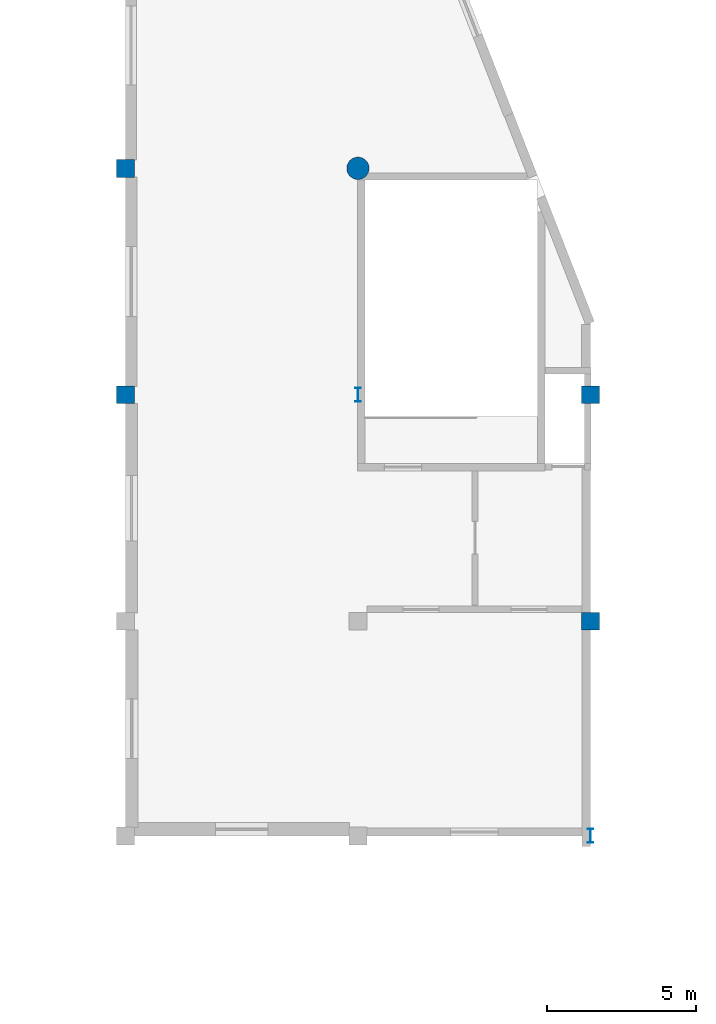
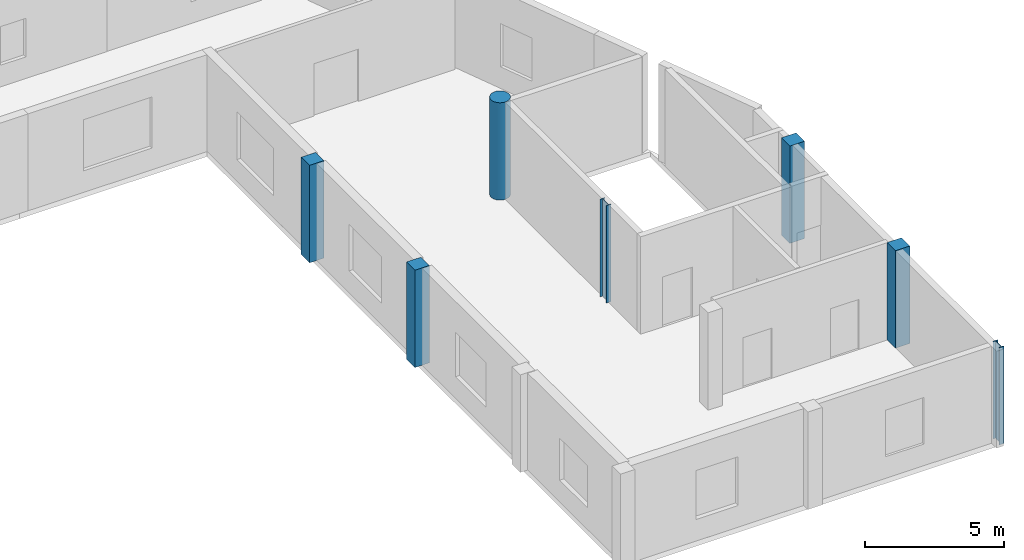
# One storey, part 7 of 28: 7 columns.
"""IFC4 building model written with IfcOpenShell, lengths in metres."""

from ifc_helpers import new_model, si_unit, direction, frame, origin, origin_2d, place, context, subcontext, project, spatial, rectangle, circle, i_section, extrude, material, material_profile, profile_set, type_object, element, save


model = new_model("IFC4")

# Units and contexts
model_context = context("Model", 3, precision=1e-05, world=origin(), true_north=direction((0.0, 1.0)))
body_context = subcontext(model_context, "Body", "Model", "MODEL_VIEW")
ifc_project = project(units=[si_unit("LENGTHUNIT", "METRE"), si_unit("AREAUNIT", "SQUARE_METRE"), si_unit("VOLUMEUNIT", "CUBIC_METRE"), si_unit("PLANEANGLEUNIT", "RADIAN"), si_unit("MASSUNIT", "GRAM", prefix="KILO")], contexts=[model_context])

# Site, building, storey
site_placement = place(None, origin())
site = spatial("IfcSite", under=ifc_project, at=site_placement, CompositionType="ELEMENT")
building_placement = place(site_placement, origin())
building = spatial("IfcBuilding", under=site, at=building_placement, Name="Xicomal Pleat Aquarium", CompositionType="ELEMENT")
storey_placement = place(building_placement, frame((0.0, 0.0, 15.300048828125)))
storey = spatial("IfcBuildingStorey", under=building, at=storey_placement, Name="L04", CompositionType="ELEMENT", Elevation=15.300048828125)

# Columns
ifc_material_1 = material(Name="Concrete C40/50", Category="concrete")
ifc_material_profile_1 = material_profile(ifc_material_1, rectangle(XDim=0.60009765625, YDim=0.60009765625, at=origin_2d()), Name="RC 600x600")
ifc_profile_set_1 = profile_set([ifc_material_profile_1], Name="Concrete C40/50")
column_type_1 = type_object("IfcColumnType", Name="COL-RC-600x600", PredefinedType="COLUMN", material=ifc_profile_set_1)
for number, where, z_axis, x_axis, name in (
    (1, (133.800048828125, 22.800048828125, 0.0), (0.0, 0.0, 1.0), (1.0, 0.0, 0.0), "L04 column 17/D"),
    (2, (133.800048828125, 30.39990234375, 0.0), (0.0, 0.0, 1.0), (1.0, 0.0, 0.0), "L04 column 17/E"),
    (3, (149.39990234375, 15.199951171875, 0.0), (0.0, 0.0, 1.0), (1.0, 0.0, 0.0), "L04 column 19/C"),
    (4, (149.39990234375, 22.800048828125, 0.0), (0.0, 0.0, 1.0), (1.0, 0.0, 0.0), "L04 column 19/D"),
):
    element("IfcColumn", number, at=place(storey_placement, frame(where, z_axis=z_axis, x_axis=x_axis)), inside=storey, type_object=column_type_1, Name=name, PredefinedType="COLUMN", context=body_context, shape_type="SweptSolid", body=[
        extrude(rectangle(XDim=0.60009765625, YDim=0.60009765625, at=origin_2d()), origin(), (0.0, 0.0, 1.0), 4.284912109375),
    ])
ifc_material_2 = material(Name="Concrete C40/50", Category="concrete")
ifc_material_profile_2 = material_profile(ifc_material_2, circle(Radius=0.375, at=origin_2d()), Name="RCC D750")
ifc_profile_set_2 = profile_set([ifc_material_profile_2], Name="Concrete C40/50")
column_type_2 = type_object("IfcColumnType", Name="COL-RCC-D750", PredefinedType="COLUMN", material=ifc_profile_set_2)
column_placement = place(storey_placement, frame((141.60009765625, 30.39990234375, 0.0), z_axis=(0.0, 0.0, 1.0), x_axis=(1.0, 0.0, 0.0)))
element("IfcColumn", 5, at=column_placement, inside=storey, type_object=column_type_2, Name="L04 column 18/E", PredefinedType="COLUMN", context=body_context, shape_type="SweptSolid", body=[
    extrude(circle(Radius=0.375, at=origin_2d()), origin(), (0.0, 0.0, 1.0), 4.284912109375),
])
ifc_material_3 = material(Name="Structural steel A992 Gr 50", Category="steel")
ifc_material_profile_3 = material_profile(ifc_material_3, i_section(OverallWidth=0.194091796875, OverallDepth=0.468994140625, WebThickness=0.0126953125, FlangeThickness=0.0205078125, at=origin_2d()), Name="IR 460x106")
ifc_profile_set_3 = profile_set([ifc_material_profile_3], Name="Structural steel A992 Gr 50")
column_type_3 = type_object("IfcColumnType", Name="COL-STL-IR460", PredefinedType="COLUMN", material=ifc_profile_set_3)
for number, where, z_axis, x_axis, name in (
    (6, (141.60009765625, 22.800048828125, 0.0), (0.0, 0.0, 1.0), (1.0, 0.0, 0.0), "L04 column 18/D"),
    (7, (149.39990234375, 8.0, 0.0), (0.0, 0.0, 1.0), (1.0, 0.0, 0.0), "L04 column 19/B"),
):
    element("IfcColumn", number, at=place(storey_placement, frame(where, z_axis=z_axis, x_axis=x_axis)), inside=storey, type_object=column_type_3, Name=name, PredefinedType="COLUMN", context=body_context, shape_type="SweptSolid", body=[
        extrude(i_section(OverallWidth=0.194091796875, OverallDepth=0.468994140625, WebThickness=0.0126953125, FlangeThickness=0.0205078125, at=origin_2d()), origin(), (0.0, 0.0, 1.0), 4.284912109375),
    ])

save(model, "model.ifc")
